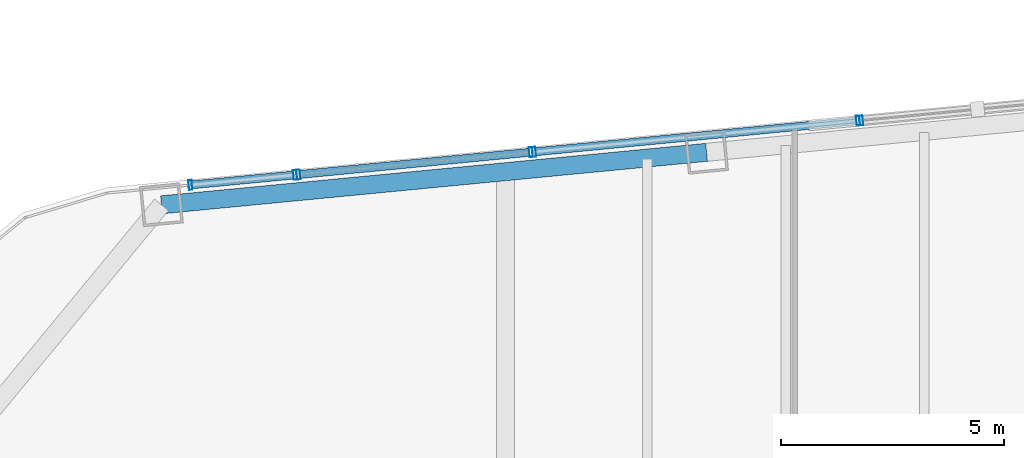
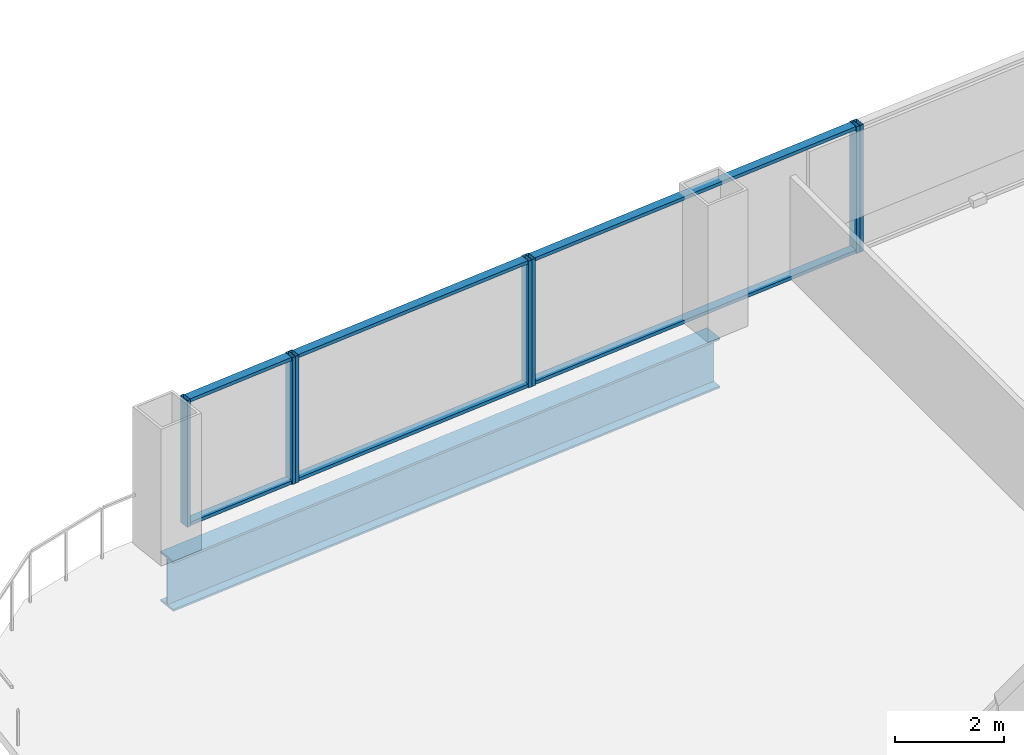
# One storey, part 16 of 26: 13 members, 1 beam, 4 elements without a shape of their own.
"""IFC4 building model written with IfcOpenShell, lengths in metres."""

import ifcopenshell
import ifcopenshell.guid

model = None  # the IFC model being written
_history = None  # IfcOwnerHistory: only IFC2X3 demands one
_inside = {}  # id of a spatial element -> (the spatial element, [elements in it])
_under = {}  # id of a project, library or spatial element -> (it, [spatial elements below it])
_declared = {}  # id of a project -> (the project, [libraries it declares])
_typed = {}  # id of a type object -> (the type object, [elements of that type])
_made_of = {}  # id of a material, layer set ... -> (it, [elements and type objects made of it])


def new_model(schema):
    """Start an empty IFC model of exactly this schema.

    Asked for "IFC4X3", IfcOpenShell would pick the latest addendum, in which some entities
    have other attributes; the version numbers below select the first issue.
    IFC2X3 requires an IfcOwnerHistory on every rooted entity: one is made here for all.
    """
    global model, _history
    if schema == "IFC4X3":
        model = ifcopenshell.file(schema_version=(4, 3, 0, 0))
    else:
        model = ifcopenshell.file(schema=schema)
    _inside.clear()
    _under.clear()
    _declared.clear()
    _typed.clear()
    _made_of.clear()
    _history = None
    if model.schema == "IFC2X3":
        org = make("IfcOrganization", Name="unknown")
        user = make(
            "IfcPersonAndOrganization",
            ThePerson=make("IfcPerson", FamilyName="unknown"),
            TheOrganization=org,
        )
        app = make(
            "IfcApplication",
            ApplicationDeveloper=org,
            Version="unknown",
            ApplicationFullName="unknown",
            ApplicationIdentifier="unknown",
        )
        _history = make(
            "IfcOwnerHistory",
            OwningUser=user,
            OwningApplication=app,
            ChangeAction="ADDED",
            CreationDate=0,
        )
    return model


def make(cls, **values):
    """One entity of the class cls with the attributes given. An attribute that is None is left unset."""
    return model.create_entity(
        cls, **{name: value for name, value in values.items() if value is not None}
    )


def rooted(cls, **values):
    """An entity with a GlobalId (a new one), such as an element, a storey or a relation."""
    return make(cls, GlobalId=ifcopenshell.guid.new(), OwnerHistory=_history, **values)


def si_unit(unit_type, name, prefix=None):
    """IfcSIUnit, for example si_unit("LENGTHUNIT", "METRE", prefix="MILLI")."""
    return make("IfcSIUnit", UnitType=unit_type, Prefix=prefix, Name=name)


def assignment(units):
    """IfcUnitAssignment: the units of a project."""
    return None if units is None else make("IfcUnitAssignment", Units=units)


def point(xyz):
    """IfcCartesianPoint."""
    return None if xyz is None else make("IfcCartesianPoint", Coordinates=xyz)


def direction(xyz):
    """IfcDirection."""
    return None if xyz is None else make("IfcDirection", DirectionRatios=xyz)


def frame(location, z_axis=None, x_axis=None):
    """IfcAxis2Placement3D, a coordinate frame: its origin and axes. An axis left out is left unset."""
    return make(
        "IfcAxis2Placement3D",
        Location=point(location),
        Axis=direction(z_axis),
        RefDirection=direction(x_axis),
    )


def frame_2d(location, x_axis=None):
    """IfcAxis2Placement2D, a coordinate frame in the plane: its origin and x axis."""
    return make(
        "IfcAxis2Placement2D", Location=point(location), RefDirection=direction(x_axis)
    )


def origin():
    """The frame at (0, 0, 0) with its axes left unset."""
    return frame((0.0, 0.0, 0.0))


def origin_2d():
    """The frame at (0, 0) in the plane with its x axis left unset."""
    return frame_2d((0.0, 0.0))


def place(relative_to, where):
    """IfcLocalPlacement: puts the frame where relative to a parent placement (None: the world)."""
    return make(
        "IfcLocalPlacement", PlacementRelTo=relative_to, RelativePlacement=where
    )


def context(
    kind, dimensions, precision=None, world=None, true_north=None, identifier=None
):
    """IfcGeometricRepresentationContext, for example the 3D "Model" context."""
    return make(
        "IfcGeometricRepresentationContext",
        ContextIdentifier=identifier,
        ContextType=kind,
        CoordinateSpaceDimension=dimensions,
        Precision=precision,
        WorldCoordinateSystem=world,
        TrueNorth=true_north,
    )


def subcontext(parent, identifier, kind, view, scale=None):
    """IfcGeometricRepresentationSubContext, for example "Body" below "Model"."""
    return make(
        "IfcGeometricRepresentationSubContext",
        ContextIdentifier=identifier,
        ContextType=kind,
        ParentContext=parent,
        TargetScale=scale,
        TargetView=view,
    )


def project(units=None, contexts=None):
    """IfcProject with its units and contexts."""
    return rooted(
        "IfcProject",
        Name="project",
        RepresentationContexts=contexts,
        UnitsInContext=assignment(units),
    )


def spatial(cls, under=None, at=None, **own):
    """A site, building, storey or space (cls), placed at a placement, below another one or the project."""
    s = rooted(cls, ObjectPlacement=at, **own)
    if under is not None:
        _under.setdefault(under.id(), (under, []))[1].append(s)
    return s


def profile(cls, at=None, kind="AREA", **sizes):
    """A parametric profile (cls). Its sizes go by their IFC names, for example OverallWidth=200.0."""
    return make(cls, ProfileType=kind, Position=at, **sizes)


def hollow_rectangle(**sizes):
    """IfcRectangleHollowProfileDef."""
    return profile("IfcRectangleHollowProfileDef", **sizes)


def i_section(**sizes):
    """IfcIShapeProfileDef."""
    return profile("IfcIShapeProfileDef", **sizes)


def extrude(swept, where, along, depth):
    """IfcExtrudedAreaSolid: the profile swept, set in the frame where, extruded along a direction by depth."""
    return make(
        "IfcExtrudedAreaSolid",
        SweptArea=swept,
        Position=where,
        ExtrudedDirection=direction(along),
        Depth=depth,
    )


def shape(context_of_items, identifier, shape_type, items):
    """IfcShapeRepresentation: the items that make up one representation, for example the "Body"."""
    return make(
        "IfcShapeRepresentation",
        ContextOfItems=context_of_items,
        RepresentationIdentifier=identifier,
        RepresentationType=shape_type,
        Items=items,
    )


def material(Name=None, Category=None):
    """IfcMaterial."""
    return make("IfcMaterial", Name=Name, Category=Category)


def layer(
    of_material, thickness, ventilated=None, Name=None, Category=None, Priority=None
):
    """IfcMaterialLayer: one layer of a wall or slab, of a material (None: an air gap)."""
    return make(
        "IfcMaterialLayer",
        Material=of_material,
        LayerThickness=thickness,
        IsVentilated=ventilated,
        Name=Name,
        Category=Category,
        Priority=Priority,
    )


def layer_set(layers, Name=None):
    """IfcMaterialLayerSet."""
    return make("IfcMaterialLayerSet", MaterialLayers=layers, LayerSetName=Name)


def material_profile(
    of_material, cross_section, Name=None, Category=None, Priority=None
):
    """IfcMaterialProfile: a cross section and its material."""
    return make(
        "IfcMaterialProfile",
        Name=Name,
        Material=of_material,
        Profile=cross_section,
        Priority=Priority,
        Category=Category,
    )


def profile_set(profiles, Name=None, composite=None):
    """IfcMaterialProfileSet."""
    return make(
        "IfcMaterialProfileSet",
        Name=Name,
        MaterialProfiles=profiles,
        CompositeProfile=composite,
    )


def made_of(thing, what):
    """Note that an element or type object is made of a material, layer set ...; save() writes the relation."""
    if what is not None:
        _made_of.setdefault(what.id(), (what, []))[1].append(thing)
    return thing


def type_object(cls, material=None, **own):
    """A type object (cls), such as IfcWallType, which elements share."""
    return made_of(rooted(cls, **own), material)


def element(
    cls,
    number,
    at=None,
    inside=None,
    cuts=None,
    type_object=None,
    material=None,
    context=None,
    identifier="Body",
    shape_type=None,
    held_by="IfcProductDefinitionShape",
    body=None,
    shapes=None,
    **own,
):
    """One element of the class cls, such as IfcWall. Its Tag is "e" and its number.

    at: its placement. inside: the storey or other place that contains it. cuts: it is an
    opening in that element (IfcRelVoidsElement). A single representation is given by context,
    identifier, shape_type and body (its items); several are given by shapes. held_by: the class
    of the entity that holds the representations. save() writes the other relations.
    """
    e = rooted(cls, Tag="e%d" % number, ObjectPlacement=at, **own)
    if body is not None:
        shapes = [shape(context, identifier, shape_type, body)]
    if shapes is not None:
        e.Representation = make(held_by, Representations=shapes)
    if inside is not None:
        _inside.setdefault(inside.id(), (inside, []))[1].append(e)
    if cuts is not None:
        rooted(
            "IfcRelVoidsElement", RelatingBuildingElement=cuts, RelatedOpeningElement=e
        )
    if type_object is not None:
        _typed.setdefault(type_object.id(), (type_object, []))[1].append(e)
    return made_of(e, material)


def aggregate(whole, parts):
    """IfcRelAggregates: a whole, such as a stair, and the parts it consists of."""
    return rooted("IfcRelAggregates", RelatingObject=whole, RelatedObjects=parts)


def save(model, path):
    """Write the relations noted so far, then the file.

    IfcRelAggregates (storeys below a building ...), IfcRelContainedInSpatialStructure (elements
    in a storey), IfcRelDefinesByType, IfcRelAssociatesMaterial and IfcRelDeclares: one each for
    every whole, place, type object, material and project.
    """
    for whole, parts in _under.values():
        aggregate(whole, parts)
    for where, things in _inside.values():
        rooted(
            "IfcRelContainedInSpatialStructure",
            RelatedElements=things,
            RelatingStructure=where,
        )
    for kind, things in _typed.values():
        rooted("IfcRelDefinesByType", RelatedObjects=things, RelatingType=kind)
    for what, things in _made_of.values():
        rooted("IfcRelAssociatesMaterial", RelatedObjects=things, RelatingMaterial=what)
    for by, libraries in _declared.values():
        rooted("IfcRelDeclares", RelatingContext=by, RelatedDefinitions=libraries)
    model.write(path)


model = new_model("IFC4")

# Units and contexts
model_context = context("Model", 3, precision=1e-05, world=origin(), true_north=direction((0.0, 1.0)))
body_context = subcontext(model_context, "Body", "Model", "MODEL_VIEW")
ifc_project = project(units=[si_unit("LENGTHUNIT", "METRE"), si_unit("AREAUNIT", "SQUARE_METRE"), si_unit("VOLUMEUNIT", "CUBIC_METRE"), si_unit("PLANEANGLEUNIT", "RADIAN"), si_unit("MASSUNIT", "GRAM", prefix="KILO")], contexts=[model_context])

# Site, building, storey
site_placement = place(None, origin())
site = spatial("IfcSite", under=ifc_project, at=site_placement, CompositionType="ELEMENT")
building_placement = place(site_placement, origin())
building = spatial("IfcBuilding", under=site, at=building_placement, Name="Qhalaya Broadcast Tower", CompositionType="ELEMENT")
storey_placement = place(building_placement, frame((0.0, 0.0, 72.5)))
storey = spatial("IfcBuildingStorey", under=building, at=storey_placement, Name="L20", CompositionType="ELEMENT", Elevation=72.5)

# Beam
ifc_material_1 = material(Name="Structural Steel ASTM A992 Grade 50", Category="steel")
ifc_material_profile_1 = material_profile(ifc_material_1, i_section(OverallWidth=0.404052734375, OverallDepth=1.117919921875, WebThickness=0.026123046875, FlangeThickness=0.044921875, at=origin_2d()), Name="W44X335")
ifc_profile_set_1 = profile_set([ifc_material_profile_1], Name="Structural Steel ASTM A992 Grade 50")
beam_type = type_object("IfcBeamType", Name="Podium Long-Span Primary Girder PG1", PredefinedType="USERDEFINED", material=ifc_profile_set_1)
beam_placement = place(storey_placement, frame((-4.875, 26.941162109375, -0.779052734375), z_axis=(-0.99539563662, -0.095851586307, 0.0), x_axis=(0.095851586307, -0.99539563662, 0.0)))
element("IfcBeam", 1, at=beam_placement, inside=storey, type_object=beam_type, Name="L20 PG1 L20-SPR-11", ObjectType="GIRDER", PredefinedType="USERDEFINED", context=body_context, shape_type="SweptSolid", body=[
    extrude(i_section(OverallWidth=0.404052734375, OverallDepth=1.117919921875, WebThickness=0.026123046875, FlangeThickness=0.044921875, at=origin_2d()), origin(), (0.0, 0.0, 1.0), 12.2666015625),
])

# Curtain wall, member
ifc_material_2 = material(Name="Solar-Control Low-E Triple Glazing", Category="glass")
ifc_layer_1 = layer(ifc_material_2, 0.219970703125, Name="Solar-Control Low-E Triple Glazing")
ifc_layer_set_1 = layer_set([ifc_layer_1], Name="Solar-Control Low-E Triple Glazing")
curtain_wall_type_1 = type_object("IfcCurtainWallType", Name="Even-Block 4-Storey Double-Module Curtain Wall CW-03", PredefinedType="NOTDEFINED", material=ifc_layer_set_1)
curtain_wall_1_placement = place(storey_placement, origin())
curtain_wall_1 = element("IfcCurtainWall", 2, at=curtain_wall_1_placement, inside=storey, type_object=curtain_wall_type_1, Name="L20 Unitised Curtain Wall L20-CW-N4", PredefinedType="NOTDEFINED")
ifc_material_3 = material(Name="Anodised Aluminium 6063-T6", Category="aluminium")
ifc_material_profile_2 = material_profile(ifc_material_3, hollow_rectangle(XDim=0.074951171875, YDim=0.219970703125, WallThickness=0.00390625, at=origin_2d()), Name="ALU-MUL 75x220x4")
ifc_profile_set_2 = profile_set([ifc_material_profile_2], Name="Anodised Aluminium 6063-T6")
member_type_1 = type_object("IfcMemberType", Name="Unitised Curtain-Wall Mullion M01", PredefinedType="MULLION", material=ifc_profile_set_2)
member_1_placement = place(storey_placement, frame((-1.40966796875, 27.656494140625, 0.0), z_axis=(0.0, 0.0, 1.0), x_axis=(-0.995395483385, -0.095853177608, 0.0)))
member_1 = element("IfcMember", 3, at=member_1_placement, type_object=member_type_1, Name="CW-03 mullion 2", PredefinedType="MULLION", context=body_context, shape_type="SweptSolid", body=[
    extrude(hollow_rectangle(XDim=0.074951171875, YDim=0.219970703125, WallThickness=0.00390625, at=origin_2d()), origin(), (0.0, 0.0, 1.0), 2.830078125),
])
aggregate(curtain_wall_1, [member_1])

# Curtain wall, members
ifc_material_4 = material(Name="Fired Architectural Terracotta", Category="masonry")
ifc_layer_2 = layer(ifc_material_4, 0.219970703125, Name="Fired Architectural Terracotta")
ifc_layer_set_2 = layer_set([ifc_layer_2], Name="Fired Architectural Terracotta")
curtain_wall_type_2 = type_object("IfcCurtainWallType", Name="Block-Cap Unitised Terracotta Spandrel Wall CW-07", PredefinedType="NOTDEFINED", material=ifc_layer_set_2)
curtain_wall_2_placement = place(storey_placement, origin())
curtain_wall_2 = element("IfcCurtainWall", 4, at=curtain_wall_2_placement, inside=storey, type_object=curtain_wall_type_2, Name="L20 Unitised Curtain Wall L20-CW-N5", PredefinedType="NOTDEFINED")
member_2_placement = place(storey_placement, frame((-1.484375, 27.6494140625, 0.0), z_axis=(0.0, 0.0, 1.0), x_axis=(-0.995396450907, -0.095843129762, 0.0)))
member_2 = element("IfcMember", 5, at=member_2_placement, type_object=member_type_1, Name="CW-07 mullion 1", PredefinedType="MULLION", context=body_context, shape_type="SweptSolid", body=[
    extrude(hollow_rectangle(XDim=0.074951171875, YDim=0.219970703125, WallThickness=0.00390625, at=origin_2d()), origin(), (0.0, 0.0, 1.0), 2.830078125),
])
member_3_placement = place(storey_placement, frame((-8.73681640625, 26.951171875, 0.0), z_axis=(0.0, 0.0, 1.0), x_axis=(-0.995396450907, -0.095843129762, 0.0)))
member_3 = element("IfcMember", 6, at=member_3_placement, type_object=member_type_1, Name="CW-07 mullion 2", PredefinedType="MULLION", context=body_context, shape_type="SweptSolid", body=[
    extrude(hollow_rectangle(XDim=0.074951171875, YDim=0.219970703125, WallThickness=0.00390625, at=origin_2d()), origin(), (0.0, 0.0, 1.0), 2.830078125),
])

curtain_wall_3_placement = place(storey_placement, origin())
curtain_wall_3 = element("IfcCurtainWall", 7, at=curtain_wall_3_placement, inside=storey, type_object=curtain_wall_type_1, Name="L20 Unitised Curtain Wall L20-CW-N6", PredefinedType="NOTDEFINED")
member_4_placement = place(storey_placement, frame((-8.8115234375, 26.94384765625, 0.0), z_axis=(0.0, 0.0, 1.0), x_axis=(-0.995395549991, -0.095852485923, 0.0)))
member_4 = element("IfcMember", 8, at=member_4_placement, type_object=member_type_1, Name="CW-03 mullion 1", PredefinedType="MULLION", context=body_context, shape_type="SweptSolid", body=[
    extrude(hollow_rectangle(XDim=0.074951171875, YDim=0.219970703125, WallThickness=0.00390625, at=origin_2d()), origin(), (0.0, 0.0, 1.0), 2.830078125),
])
member_5_placement = place(storey_placement, frame((-14.017578125, 26.442626953125, 0.0), z_axis=(0.0, 0.0, 1.0), x_axis=(-0.995395549991, -0.095852485923, 0.0)))
member_5 = element("IfcMember", 9, at=member_5_placement, type_object=member_type_1, Name="CW-03 mullion 2", PredefinedType="MULLION", context=body_context, shape_type="SweptSolid", body=[
    extrude(hollow_rectangle(XDim=0.074951171875, YDim=0.219970703125, WallThickness=0.00390625, at=origin_2d()), origin(), (0.0, 0.0, 1.0), 2.830078125),
])

curtain_wall_4_placement = place(storey_placement, origin())
curtain_wall_4 = element("IfcCurtainWall", 10, at=curtain_wall_4_placement, inside=storey, type_object=curtain_wall_type_2, Name="L20 Unitised Curtain Wall L20-CW-N7", PredefinedType="NOTDEFINED")
member_6_placement = place(storey_placement, frame((-14.092041015625, 26.435302734375, 0.0), z_axis=(0.0, 0.0, 1.0), x_axis=(-0.99539620774, -0.09584565518, 0.0)))
member_6 = element("IfcMember", 11, at=member_6_placement, type_object=member_type_1, Name="CW-07 mullion 1", PredefinedType="MULLION", context=body_context, shape_type="SweptSolid", body=[
    extrude(hollow_rectangle(XDim=0.074951171875, YDim=0.219970703125, WallThickness=0.00390625, at=origin_2d()), origin(), (0.0, 0.0, 1.0), 2.830078125),
])
member_7_placement = place(storey_placement, frame((-16.437255859375, 26.20947265625, 0.0), z_axis=(0.0, 0.0, 1.0), x_axis=(-0.99539620774, -0.09584565518, 0.0)))
member_7 = element("IfcMember", 12, at=member_7_placement, type_object=member_type_1, Name="CW-07 mullion 2", PredefinedType="MULLION", context=body_context, shape_type="SweptSolid", body=[
    extrude(hollow_rectangle(XDim=0.074951171875, YDim=0.219970703125, WallThickness=0.00390625, at=origin_2d()), origin(), (0.0, 0.0, 1.0), 2.830078125),
])

# Member
ifc_material_profile_3 = material_profile(ifc_material_3, hollow_rectangle(XDim=0.074951171875, YDim=0.179931640625, WallThickness=0.00390625, at=origin_2d()), Name="ALU-TRN 75x180x4")
ifc_profile_set_3 = profile_set([ifc_material_profile_3], Name="Anodised Aluminium 6063-T6")
member_type_2 = type_object("IfcMemberType", Name="Unitised Curtain-Wall Transom T01", PredefinedType="USERDEFINED", material=ifc_profile_set_3)
member_8_placement = place(storey_placement, frame((-1.521728515625, 27.645751953125, 0.03759765625), z_axis=(-0.995395868945, -0.095849173639, 0.0), x_axis=(0.0, 0.0, 1.0)))
member_8 = element("IfcMember", 13, at=member_8_placement, type_object=member_type_2, Name="CW-07 transom 1.1", ObjectType="TRANSOM", PredefinedType="USERDEFINED", context=body_context, shape_type="SweptSolid", body=[
    extrude(hollow_rectangle(XDim=0.074951171875, YDim=0.179931640625, WallThickness=0.00390625, at=origin_2d()), origin(), (0.0, 0.0, 1.0), 7.2109375),
])

member_9_placement = place(storey_placement, frame((-1.521728515625, 27.645751953125, 2.79248046875), z_axis=(-0.995395868945, -0.095849173639, 0.0), x_axis=(0.0, 0.0, 1.0)))
member_9 = element("IfcMember", 14, at=member_9_placement, type_object=member_type_2, Name="CW-07 transom 1.2", ObjectType="TRANSOM", PredefinedType="USERDEFINED", context=body_context, shape_type="SweptSolid", body=[
    extrude(hollow_rectangle(XDim=0.074951171875, YDim=0.179931640625, WallThickness=0.00390625, at=origin_2d()), origin(), (0.0, 0.0, 1.0), 7.2109375),
])

aggregate(curtain_wall_2, [member_2, member_3, member_8, member_9])

member_10_placement = place(storey_placement, frame((-8.848876953125, 26.9404296875, 0.03759765625), z_axis=(-0.995395309195, -0.095854986479, 0.0), x_axis=(0.0, 0.0, 1.0)))
member_10 = element("IfcMember", 15, at=member_10_placement, type_object=member_type_2, Name="CW-03 transom 1.1", ObjectType="TRANSOM", PredefinedType="USERDEFINED", context=body_context, shape_type="SweptSolid", body=[
    extrude(hollow_rectangle(XDim=0.074951171875, YDim=0.179931640625, WallThickness=0.00390625, at=origin_2d()), origin(), (0.0, 0.0, 1.0), 5.155029296875),
])

member_11_placement = place(storey_placement, frame((-8.848876953125, 26.9404296875, 2.79248046875), z_axis=(-0.995395309195, -0.095854986479, 0.0), x_axis=(0.0, 0.0, 1.0)))
member_11 = element("IfcMember", 16, at=member_11_placement, type_object=member_type_2, Name="CW-03 transom 1.2", ObjectType="TRANSOM", PredefinedType="USERDEFINED", context=body_context, shape_type="SweptSolid", body=[
    extrude(hollow_rectangle(XDim=0.074951171875, YDim=0.179931640625, WallThickness=0.00390625, at=origin_2d()), origin(), (0.0, 0.0, 1.0), 5.155029296875),
])

aggregate(curtain_wall_3, [member_4, member_5, member_10, member_11])

member_12_placement = place(storey_placement, frame((-14.12939453125, 26.431884765625, 0.03759765625), z_axis=(-0.995390970233, -0.095900033261, 0.0), x_axis=(0.0, 0.0, 1.0)))
member_12 = element("IfcMember", 17, at=member_12_placement, type_object=member_type_2, Name="CW-07 transom 1.1", ObjectType="TRANSOM", PredefinedType="USERDEFINED", context=body_context, shape_type="SweptSolid", body=[
    extrude(hollow_rectangle(XDim=0.074951171875, YDim=0.179931640625, WallThickness=0.00390625, at=origin_2d()), origin(), (0.0, 0.0, 1.0), 2.281005859375),
])

member_13_placement = place(storey_placement, frame((-14.12939453125, 26.431884765625, 2.79248046875), z_axis=(-0.995390970233, -0.095900033261, 0.0), x_axis=(0.0, 0.0, 1.0)))
member_13 = element("IfcMember", 18, at=member_13_placement, type_object=member_type_2, Name="CW-07 transom 1.2", ObjectType="TRANSOM", PredefinedType="USERDEFINED", context=body_context, shape_type="SweptSolid", body=[
    extrude(hollow_rectangle(XDim=0.074951171875, YDim=0.179931640625, WallThickness=0.00390625, at=origin_2d()), origin(), (0.0, 0.0, 1.0), 2.281005859375),
])

aggregate(curtain_wall_4, [member_6, member_7, member_12, member_13])

save(model, "model.ifc")
